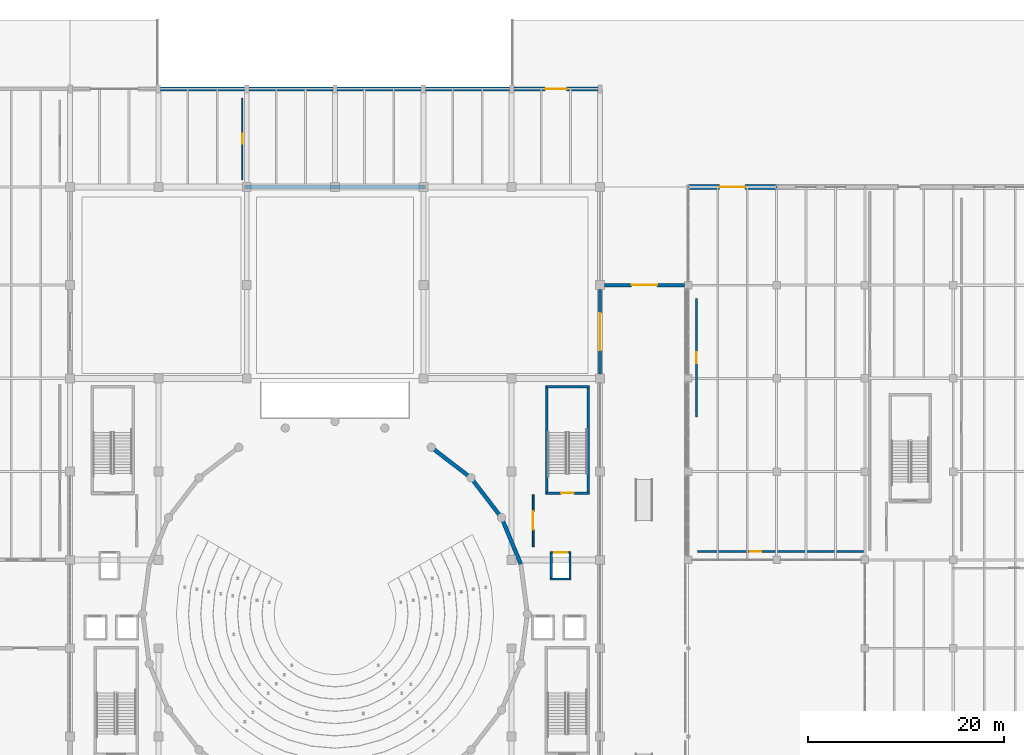
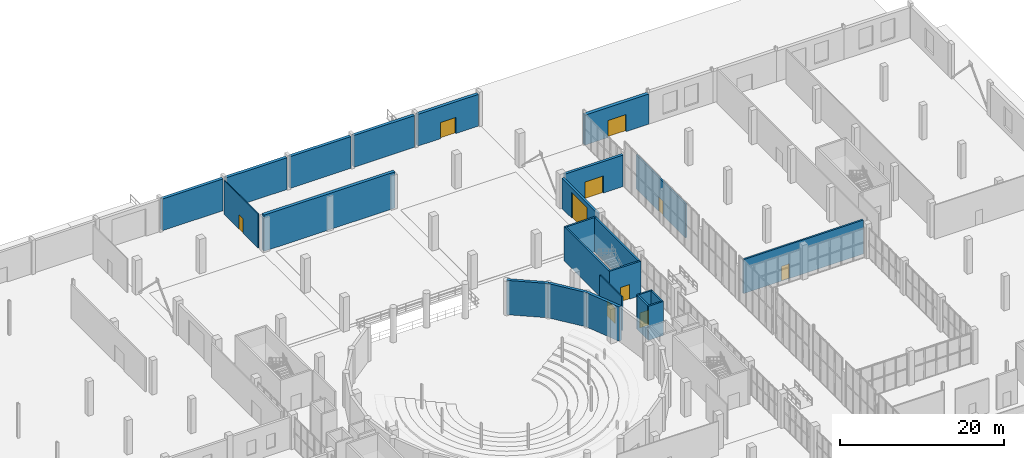
# One storey, part 87 of 103: 24 walls, 10 doors, 10 openings.
"""IFC4 building model written with IfcOpenShell, lengths in metres."""

from ifc_helpers import new_model, si_unit, direction, frame, frame_2d, origin, place, context, subcontext, project, spatial, rectangle, extrude, material, layer, layer_set, type_object, element, fill, save


model = new_model("IFC4")

# Units and contexts
model_context = context("Model", 3, precision=1e-05, world=origin(), true_north=direction((0.0, 1.0)))
body_context = subcontext(model_context, "Body", "Model", "MODEL_VIEW")
ifc_project = project(units=[si_unit("LENGTHUNIT", "METRE"), si_unit("AREAUNIT", "SQUARE_METRE"), si_unit("VOLUMEUNIT", "CUBIC_METRE"), si_unit("PLANEANGLEUNIT", "RADIAN"), si_unit("MASSUNIT", "GRAM", prefix="KILO")], contexts=[model_context])

# Site, building, storey
site_placement = place(None, origin())
site = spatial("IfcSite", under=ifc_project, at=site_placement, CompositionType="ELEMENT")
building_placement = place(site_placement, origin())
building = spatial("IfcBuilding", under=site, at=building_placement, Name="Marnock Terrace Opera House", CompositionType="ELEMENT")
storey_placement = place(building_placement, origin())
storey = spatial("IfcBuildingStorey", under=building, at=storey_placement, Name="L00", CompositionType="ELEMENT", Elevation=0.0)

# Wall, opening, door
ifc_material_1 = material(Name="Basket Range sandstone ashlar masonry", Category="masonry")
ifc_layer_1 = layer(ifc_material_1, 0.364990234375)
ifc_layer_set_1 = layer_set([ifc_layer_1], Name="Basket Range sandstone ashlar masonry")
wall_type_1 = type_object("IfcWallType", Name="EW-ASHLAR-365", PredefinedType="SOLIDWALL", material=ifc_layer_set_1)
wall_1_placement = place(storey_placement, frame((109.446044921875, 94.0, 0.0), z_axis=(0.0, 0.0, 1.0), x_axis=(1.0, 0.0, 0.0)))
wall_1 = element("IfcWall", 1, at=wall_1_placement, inside=storey, type_object=wall_type_1, Name="Stage and courtyard portal wall CG-03", PredefinedType="SOLIDWALL", context=body_context, shape_type="SweptSolid", body=[
    extrude(rectangle(XDim=8.182861328125, YDim=0.364990234375, at=frame_2d((4.09130859375, 0.0))), origin(), (0.0, 0.0, 1.0), 4.699951171875),
])
opening_1_placement = place(wall_1_placement, frame((2.79150390625, 0.0, 0.0)))
opening_1 = element("IfcOpeningElement", 2, at=opening_1_placement, cuts=wall_1, Name="Opening CG-03", PredefinedType="OPENING", context=body_context, shape_type="SweptSolid", body=[
    extrude(rectangle(XDim=2.60009765625, YDim=2.550048828125, at=frame_2d((1.300048828125, 1.27490234375))), frame((0.0, 0.1923828125, 0.0), z_axis=(0.0, -1.0, 0.0), x_axis=(1.0, 0.0, 0.0)), (0.0, 0.0, 1.0), 0.385009765625),
])
ifc_material_2 = material(Name="Architectural cast bronze")
door_type_1 = type_object("IfcDoorType", Name="DT-COURTGATE-2600", OperationType="NOTDEFINED", PredefinedType="GATE", material=ifc_material_2)
door_1_placement = place(opening_1_placement, origin())
door_1 = element("IfcDoor", 3, at=door_1_placement, inside=storey, type_object=door_type_1, Name="Exterior door CG-03", OperationType="DOUBLE_DOOR_SINGLE_SWING", OverallHeight=2.550048828125, OverallWidth=2.60009765625, PredefinedType="GATE", context=body_context, shape_type="SweptSolid", body=[
    extrude(rectangle(XDim=2.60009765625, YDim=2.550048828125, at=frame_2d((1.300048828125, 1.27490234375))), frame((0.0, 0.02490234375, 0.0), z_axis=(0.0, -1.0, 0.0), x_axis=(1.0, 0.0, 0.0)), (0.0, 0.0, 1.0), 0.050048828125),
])
fill(opening_1, door_1)

# Walls
ifc_layer_2 = layer(ifc_material_1, 0.429931640625)
ifc_layer_set_2 = layer_set([ifc_layer_2], Name="Basket Range sandstone ashlar masonry")
wall_type_2 = type_object("IfcWallType", Name="EW-ASHLAR-430", PredefinedType="SOLIDWALL", material=ifc_layer_set_2)
for number, where, z_axis, x_axis, name in (
    (4, (64.220947265625, 114.0, 0.0), (0.0, 0.0, 1.0), (1.0, 0.0, 0.0), "L00 Stage House north wall 2"),
    (5, (73.220947265625, 114.0, 0.0), (0.0, 0.0, 1.0), (1.0, 0.0, 0.0), "L00 Stage House north wall 3"),
    (6, (82.220947265625, 114.0, 0.0), (0.0, 0.0, 1.0), (1.0, 0.0, 0.0), "L00 Stage House north wall 4"),
    (7, (91.220947265625, 114.0, 0.0), (0.0, 0.0, 1.0), (1.0, 0.0, 0.0), "L00 Stage House north wall 5"),
):
    element("IfcWall", number, at=place(storey_placement, frame(where, z_axis=z_axis, x_axis=x_axis)), inside=storey, type_object=wall_type_2, Name=name, PredefinedType="SOLIDWALL", context=body_context, shape_type="SweptSolid", body=[
        extrude(rectangle(XDim=8.55810546875, YDim=0.429931640625, at=frame_2d((4.279052734375, 0.0))), origin(), (0.0, 0.0, 1.0), 4.7314453125),
    ])

# Wall, opening, door
wall_2_placement = place(storey_placement, frame((100.220947265625, 114.0, 0.0), z_axis=(0.0, 0.0, 1.0), x_axis=(1.0, 0.0, 0.0)))
wall_2 = element("IfcWall", 8, at=wall_2_placement, inside=storey, type_object=wall_type_2, Name="L00 Stage House north wall 6", PredefinedType="SOLIDWALL", context=body_context, shape_type="SweptSolid", body=[
    extrude(rectangle(XDim=8.55810546875, YDim=0.429931640625, at=frame_2d((4.279052734375, 0.0))), origin(), (0.0, 0.0, 1.0), 4.7314453125),
])
opening_2_placement = place(wall_2_placement, frame((3.178955078125, 0.0, 0.0)))
opening_2 = element("IfcOpeningElement", 9, at=opening_2_placement, cuts=wall_2, Name="Opening ED-12", PredefinedType="OPENING", context=body_context, shape_type="SweptSolid", body=[
    extrude(rectangle(XDim=2.199951171875, YDim=2.39990234375, at=frame_2d((1.10009765625, 1.199951171875))), frame((0.0, 0.224853515625, 0.0), z_axis=(0.0, -1.0, 0.0), x_axis=(1.0, 0.0, 0.0)), (0.0, 0.0, 1.0), 0.449951171875),
])
ifc_material_3 = material(Name="Anodised architectural bronze aluminium framing", Category="aluminium")
door_type_2 = type_object("IfcDoorType", Name="DT-EXIT-2200", OperationType="NOTDEFINED", PredefinedType="DOOR", material=ifc_material_3)
door_2_placement = place(opening_2_placement, origin())
door_2 = element("IfcDoor", 10, at=door_2_placement, inside=storey, type_object=door_type_2, Name="Exterior door ED-12", OperationType="DOUBLE_DOOR_SINGLE_SWING", OverallHeight=2.39990234375, OverallWidth=2.199951171875, PredefinedType="DOOR", context=body_context, shape_type="SweptSolid", body=[
    extrude(rectangle(XDim=2.199951171875, YDim=2.39990234375, at=frame_2d((1.10009765625, 1.199951171875))), frame((0.0, 0.02490234375, 0.0), z_axis=(0.0, -1.0, 0.0), x_axis=(1.0, 0.0, 0.0)), (0.0, 0.0, 1.0), 0.050048828125),
])
fill(opening_2, door_2)

ifc_material_4 = material(Name="Carey Gully rusticated stone masonry", Category="masonry")
ifc_layer_3 = layer(ifc_material_4, 0.47998046875)
ifc_layer_set_3 = layer_set([ifc_layer_3], Name="Carey Gully rusticated stone masonry")
wall_type_3 = type_object("IfcWallType", Name="EW-BASE-480", PredefinedType="SOLIDWALL", material=ifc_layer_set_3)
wall_3_placement = place(storey_placement, frame((118.0, 104.0, 0.0), z_axis=(0.0, 0.0, 1.0), x_axis=(1.0, 0.0, 0.0)))
wall_3 = element("IfcWall", 11, at=wall_3_placement, inside=storey, type_object=wall_type_3, Name="L00 Volume 5 north parklands facade 1", PredefinedType="SOLIDWALL", context=body_context, shape_type="SweptSolid", body=[
    extrude(rectangle(XDim=9.0, YDim=0.47998046875, at=frame_2d((4.5, 0.0))), origin(), (0.0, 0.0, 1.0), 4.478515625),
])
opening_3_placement = place(wall_3_placement, frame((3.199951171875, 0.0, 0.0)))
opening_3 = element("IfcOpeningElement", 12, at=opening_3_placement, cuts=wall_3, Name="Opening CG-01", PredefinedType="OPENING", context=body_context, shape_type="SweptSolid", body=[
    extrude(rectangle(XDim=2.60009765625, YDim=2.550048828125, at=frame_2d((1.300048828125, 1.27490234375))), frame((0.0, 0.25, 0.0), z_axis=(0.0, -1.0, 0.0), x_axis=(1.0, 0.0, 0.0)), (0.0, 0.0, 1.0), 0.5),
])
door_3_placement = place(opening_3_placement, origin())
door_3 = element("IfcDoor", 13, at=door_3_placement, inside=storey, type_object=door_type_1, Name="Exterior door CG-01", OperationType="DOUBLE_DOOR_SINGLE_SWING", OverallHeight=2.550048828125, OverallWidth=2.60009765625, PredefinedType="GATE", context=body_context, shape_type="SweptSolid", body=[
    extrude(rectangle(XDim=2.60009765625, YDim=2.550048828125, at=frame_2d((1.300048828125, 1.27490234375))), frame((0.0, 0.02490234375, 0.0), z_axis=(0.0, -1.0, 0.0), x_axis=(1.0, 0.0, 0.0)), (0.0, 0.0, 1.0), 0.050048828125),
])
fill(opening_3, door_3)

ifc_layer_4 = layer(ifc_material_4, 0.340087890625)
ifc_layer_set_4 = layer_set([ifc_layer_4], Name="Carey Gully rusticated stone masonry")
wall_type_4 = type_object("IfcWallType", Name="EW-WORK-340", PredefinedType="SOLIDWALL", material=ifc_layer_set_4)
wall_4_placement = place(storey_placement, frame((109.0, 84.946044921875, 0.0), z_axis=(0.0, 0.0, 1.0), x_axis=(0.0, 1.0, 0.0)))
wall_4 = element("IfcWall", 14, at=wall_4_placement, inside=storey, type_object=wall_type_4, Name="Stage and courtyard portal wall SG-04", PredefinedType="SOLIDWALL", context=body_context, shape_type="SweptSolid", body=[
    extrude(rectangle(XDim=8.60791015625, YDim=0.340087890625, at=frame_2d((4.303955078125, 0.0))), origin(), (0.0, 0.0, 1.0), 4.488037109375),
])
opening_4_placement = place(wall_4_placement, frame((2.404052734375, 0.0, 0.0)))
opening_4 = element("IfcOpeningElement", 15, at=opening_4_placement, cuts=wall_4, Name="Opening SG-04", PredefinedType="OPENING", context=body_context, shape_type="SweptSolid", body=[
    extrude(rectangle(XDim=3.800048828125, YDim=3.800048828125, at=frame_2d((1.89990234375, 1.89990234375))), frame((0.0, 0.179931640625, 0.0), z_axis=(0.0, -1.0, 0.0), x_axis=(1.0, 0.0, 0.0)), (0.0, 0.0, 1.0), 0.360107421875),
])
ifc_material_5 = material(Name="Galvanised architectural steel framing", Category="steel")
door_type_3 = type_object("IfcDoorType", Name="DT-SCENE-3800", OperationType="NOTDEFINED", PredefinedType="GATE", material=ifc_material_5)
door_4_placement = place(opening_4_placement, origin())
door_4 = element("IfcDoor", 16, at=door_4_placement, inside=storey, type_object=door_type_3, Name="Exterior door SG-04", OperationType="DOUBLE_DOOR_SINGLE_SWING", OverallHeight=3.800048828125, OverallWidth=3.800048828125, PredefinedType="GATE", context=body_context, shape_type="SweptSolid", body=[
    extrude(rectangle(XDim=3.800048828125, YDim=3.800048828125, at=frame_2d((1.89990234375, 1.89990234375))), frame((0.0, 0.02490234375, 0.0), z_axis=(0.0, -1.0, 0.0), x_axis=(1.0, 0.0, 0.0)), (0.0, 0.0, 1.0), 0.050048828125),
])
fill(opening_4, door_4)

ifc_material_6 = material(Name="Double-stud acoustic plasterboard with mineral-wool infill")
ifc_layer_5 = layer(ifc_material_6, 0.2099609375)
ifc_layer_set_5 = layer_set([ifc_layer_5], Name="Double-stud acoustic plasterboard with mineral-wool infill")
wall_type_5 = type_object("IfcWallType", Name="IW-ACOUSTIC-210", PredefinedType="PARTITIONING", material=ifc_layer_set_5)
wall_5_placement = place(storey_placement, frame((118.85009765625, 80.550048828125, 0.0), z_axis=(0.0, 0.0, 1.0), x_axis=(0.0, 1.0, 0.0)))
wall_5 = element("IfcWall", 17, at=wall_5_placement, inside=storey, type_object=wall_type_5, Name="L00 Principal Dressing Room 02 acoustic partition wall", PredefinedType="PARTITIONING", context=body_context, shape_type="SweptSolid", body=[
    extrude(rectangle(XDim=12.099853515625, YDim=0.2099609375, at=frame_2d((6.0498046875, 0.0))), origin(), (0.0, 0.0, 1.0), 5.070068359375),
])
opening_5_placement = place(wall_5_placement, frame((5.510009765625, 0.0, 0.0)))
opening_5 = element("IfcOpeningElement", 18, at=opening_5_placement, cuts=wall_5, Name="Opening D-L00-30", PredefinedType="OPENING", context=body_context, shape_type="SweptSolid", body=[
    extrude(rectangle(XDim=1.080078125, YDim=2.179931640625, at=frame_2d((0.5400390625, 1.08984375))), frame((0.0, 0.114990234375, 0.0), z_axis=(0.0, -1.0, 0.0), x_axis=(1.0, 0.0, 0.0)), (0.0, 0.0, 1.0), 0.22998046875),
])
ifc_material_7 = material(Name="Solid-core Tasmanian oak acoustic door leaf")
door_type_4 = type_object("IfcDoorType", Name="DT-DRESS-1080", OperationType="NOTDEFINED", PredefinedType="DOOR", material=ifc_material_7)
door_5_placement = place(opening_5_placement, origin())
door_5 = element("IfcDoor", 19, at=door_5_placement, inside=storey, type_object=door_type_4, Name="L00 Principal Dressing Room 02 entrance door", OperationType="SINGLE_SWING_RIGHT", OverallHeight=2.179931640625, OverallWidth=1.080078125, PredefinedType="DOOR", context=body_context, shape_type="SweptSolid", body=[
    extrude(rectangle(XDim=1.080078125, YDim=2.179931640625, at=frame_2d((0.5400390625, 1.08984375))), frame((0.0, 0.02490234375, 0.0), z_axis=(0.0, -1.0, 0.0), x_axis=(1.0, 0.0, 0.0)), (0.0, 0.0, 1.0), 0.050048828125),
])
fill(opening_5, door_5)

ifc_layer_6 = layer(ifc_material_6, 0.239990234375)
ifc_layer_set_6 = layer_set([ifc_layer_6], Name="Double-stud acoustic plasterboard with mineral-wool infill")
wall_type_6 = type_object("IfcWallType", Name="IW-ACOUSTIC-240", PredefinedType="PARTITIONING", material=ifc_layer_set_6)
wall_6_placement = place(storey_placement, frame((118.949951171875, 66.85009765625, 0.0), z_axis=(0.0, 0.0, 1.0), x_axis=(1.0, 0.0, 0.0)))
wall_6 = element("IfcWall", 20, at=wall_6_placement, inside=storey, type_object=wall_type_6, Name="L00 Principal Dressing Room 01 acoustic partition wall", PredefinedType="PARTITIONING", context=body_context, shape_type="SweptSolid", body=[
    extrude(rectangle(XDim=16.900146484375, YDim=0.239990234375, at=frame_2d((8.4501953125, 0.0))), origin(), (0.0, 0.0, 1.0), 5.070068359375),
])
opening_6_placement = place(wall_6_placement, frame((5.344970703125, 0.0, 0.0)))
opening_6 = element("IfcOpeningElement", 21, at=opening_6_placement, cuts=wall_6, Name="Opening D-L00-29", PredefinedType="OPENING", context=body_context, shape_type="SweptSolid", body=[
    extrude(rectangle(XDim=1.139892578125, YDim=2.199951171875, at=frame_2d((0.56982421875, 1.10009765625))), frame((0.0, 0.1298828125, 0.0), z_axis=(0.0, -1.0, 0.0), x_axis=(1.0, 0.0, 0.0)), (0.0, 0.0, 1.0), 0.260009765625),
])
door_type_5 = type_object("IfcDoorType", Name="DT-DRESS-1140", OperationType="NOTDEFINED", PredefinedType="DOOR", material=ifc_material_7)
door_6_placement = place(opening_6_placement, origin())
door_6 = element("IfcDoor", 22, at=door_6_placement, inside=storey, type_object=door_type_5, Name="L00 Principal Dressing Room 01 entrance door", OperationType="SINGLE_SWING_LEFT", OverallHeight=2.199951171875, OverallWidth=1.139892578125, PredefinedType="DOOR", context=body_context, shape_type="SweptSolid", body=[
    extrude(rectangle(XDim=1.139892578125, YDim=2.199951171875, at=frame_2d((0.56982421875, 1.10009765625))), frame((0.0, 0.02490234375, 0.0), z_axis=(0.0, -1.0, 0.0), x_axis=(1.0, 0.0, 0.0)), (0.0, 0.0, 1.0), 0.050048828125),
])
fill(opening_6, door_6)

ifc_material_8 = material(Name="Rendered acoustic concrete blockwork", Category="masonry")
ifc_layer_7 = layer(ifc_material_8, 0.195068359375)
ifc_layer_set_7 = layer_set([ifc_layer_7], Name="Rendered acoustic concrete blockwork")
wall_type_7 = type_object("IfcWallType", Name="IW-FIRE-195", PredefinedType="PARTITIONING", material=ifc_layer_set_7)
wall_7_placement = place(storey_placement, frame((102.199951171875, 67.35009765625, 0.0), z_axis=(0.0, 0.0, 1.0), x_axis=(0.0, 1.0, 0.0)))
wall_7 = element("IfcWall", 23, at=wall_7_placement, inside=storey, type_object=wall_type_7, Name="L00 C4 fire-rated lift and stair lobby wall", PredefinedType="PARTITIONING", context=body_context, shape_type="SweptSolid", body=[
    extrude(rectangle(XDim=5.2998046875, YDim=0.195068359375, at=frame_2d((2.64990234375, 0.0))), origin(), (0.0, 0.0, 1.0), 5.070068359375),
])
opening_7_placement = place(wall_7_placement, frame((1.699951171875, 0.0, 0.0)))
opening_7 = element("IfcOpeningElement", 24, at=opening_7_placement, cuts=wall_7, Name="Opening FD-C4-L00", PredefinedType="OPENING", context=body_context, shape_type="SweptSolid", body=[
    extrude(rectangle(XDim=1.89990234375, YDim=2.300048828125, at=frame_2d((0.949951171875, 1.14990234375))), frame((0.0, 0.107421875, 0.0), z_axis=(0.0, -1.0, 0.0), x_axis=(1.0, 0.0, 0.0)), (0.0, 0.0, 1.0), 0.215087890625),
])
ifc_material_9 = material(Name="Fire-rated acoustic timber-core door assembly", Category="wood")
door_type_6 = type_object("IfcDoorType", Name="DT-LOBBY-1900", OperationType="NOTDEFINED", PredefinedType="DOOR", material=ifc_material_9)
door_7_placement = place(opening_7_placement, origin())
door_7 = element("IfcDoor", 25, at=door_7_placement, inside=storey, type_object=door_type_6, Name="L00 C4 lobby self-closing smoke door", OperationType="SINGLE_SWING_RIGHT", OverallHeight=2.300048828125, OverallWidth=1.89990234375, PredefinedType="DOOR", context=body_context, shape_type="SweptSolid", body=[
    extrude(rectangle(XDim=1.89990234375, YDim=2.300048828125, at=frame_2d((0.949951171875, 1.14990234375))), frame((0.0, 0.02490234375, 0.0), z_axis=(0.0, -1.0, 0.0), x_axis=(1.0, 0.0, 0.0)), (0.0, 0.0, 1.0), 0.050048828125),
])
fill(opening_7, door_7)

ifc_layer_8 = layer(ifc_material_6, 0.137939453125)
ifc_layer_set_8 = layer_set([ifc_layer_8], Name="Double-stud acoustic plasterboard with mineral-wool infill")
wall_type_8 = type_object("IfcWallType", Name="IW-PART-138", PredefinedType="PARTITIONING", material=ifc_layer_set_8)
wall_8_placement = place(storey_placement, frame((72.550048828125, 104.75, 0.0), z_axis=(0.0, 0.0, 1.0), x_axis=(0.0, 1.0, 0.0)))
wall_8 = element("IfcWall", 26, at=wall_8_placement, inside=storey, type_object=wall_type_8, Name="L00 Quick-Change Booth and Stage Manager Suite acoustic partition wall", PredefinedType="PARTITIONING", context=body_context, shape_type="SweptSolid", body=[
    extrude(rectangle(XDim=8.300048828125, YDim=0.137939453125, at=frame_2d((4.14990234375, 0.0))), origin(), (0.0, 0.0, 1.0), 5.070068359375),
])
opening_8_placement = place(wall_8_placement, frame((3.639892578125, 0.0, 0.0)))
opening_8 = element("IfcOpeningElement", 27, at=opening_8_placement, cuts=wall_8, Name="Opening D-L00-12", PredefinedType="OPENING", context=body_context, shape_type="SweptSolid", body=[
    extrude(rectangle(XDim=1.02001953125, YDim=2.179931640625, at=frame_2d((0.510009765625, 1.08984375))), frame((0.0, 0.078857421875, 0.0), z_axis=(0.0, -1.0, 0.0), x_axis=(1.0, 0.0, 0.0)), (0.0, 0.0, 1.0), 0.157958984375),
])
door_type_7 = type_object("IfcDoorType", Name="DT-SUITE-1020", OperationType="NOTDEFINED", PredefinedType="DOOR", material=ifc_material_7)
door_8_placement = place(opening_8_placement, origin())
door_8 = element("IfcDoor", 28, at=door_8_placement, inside=storey, type_object=door_type_7, Name="L00 Quick-Change Booth and Stage Manager Suite entrance door", OperationType="SINGLE_SWING_LEFT", OverallHeight=2.179931640625, OverallWidth=1.02001953125, PredefinedType="DOOR", context=body_context, shape_type="SweptSolid", body=[
    extrude(rectangle(XDim=1.02001953125, YDim=2.179931640625, at=frame_2d((0.510009765625, 1.08984375))), frame((0.0, 0.02490234375, 0.0), z_axis=(0.0, -1.0, 0.0), x_axis=(1.0, 0.0, 0.0)), (0.0, 0.0, 1.0), 0.050048828125),
])
fill(opening_8, door_8)

ifc_layer_9 = layer(ifc_material_8, 0.22509765625)
ifc_layer_set_9 = layer_set([ifc_layer_9], Name="Rendered acoustic concrete blockwork")
wall_type_9 = type_object("IfcWallType", Name="IW-SHAFT-225", PredefinedType="SOLIDWALL", material=ifc_layer_set_9)
wall_9_placement = place(storey_placement, frame((103.927490234375, 66.760009765625, 0.0), z_axis=(0.0, 0.0, 1.0), x_axis=(1.0, 0.0, 0.0)))
wall_9 = element("IfcWall", 29, at=wall_9_placement, inside=storey, type_object=wall_type_9, Name="L00 Lift EL-02 front shaft wall", PredefinedType="SOLIDWALL", context=body_context, shape_type="SweptSolid", body=[
    extrude(rectangle(XDim=2.14501953125, YDim=0.22509765625, at=frame_2d((1.072509765625, 0.0))), origin(), (0.0, 0.0, 1.0), 5.070068359375),
])
opening_9_placement = place(wall_9_placement, frame((0.422607421875, 0.0, 0.0)))
opening_9 = element("IfcOpeningElement", 30, at=opening_9_placement, cuts=wall_9, Name="Opening LD-EL-02-L00", PredefinedType="OPENING", context=body_context, shape_type="SweptSolid", body=[
    extrude(rectangle(XDim=1.300048828125, YDim=2.25, at=frame_2d((0.64990234375, 1.125))), frame((0.0, 0.12255859375, 0.0), z_axis=(0.0, -1.0, 0.0), x_axis=(1.0, 0.0, 0.0)), (0.0, 0.0, 1.0), 0.2451171875),
])
ifc_material_10 = material(Name="Brushed stainless steel landing door assembly", Category="steel")
door_type_8 = type_object("IfcDoorType", Name="DT-LIFT-1300", OperationType="NOTDEFINED", PredefinedType="DOOR", material=ifc_material_10)
door_9_placement = place(opening_9_placement, origin())
door_9 = element("IfcDoor", 31, at=door_9_placement, inside=storey, type_object=door_type_8, Name="L00 Lift EL-02 sliding landing door", OperationType="DOUBLE_DOOR_SLIDING", OverallHeight=2.25, OverallWidth=1.300048828125, PredefinedType="DOOR", context=body_context, shape_type="SweptSolid", body=[
    extrude(rectangle(XDim=1.300048828125, YDim=2.25, at=frame_2d((0.64990234375, 1.125))), frame((0.0, 0.02490234375, 0.0), z_axis=(0.0, -1.0, 0.0), x_axis=(1.0, 0.0, 0.0)), (0.0, 0.0, 1.0), 0.050048828125),
])
fill(opening_9, door_9)

# Walls
wall_10_placement = place(storey_placement, frame((103.927490234375, 64.0400390625, 0.0), z_axis=(0.0, 0.0, 1.0), x_axis=(1.0, 0.0, 0.0)))
element("IfcWall", 32, at=wall_10_placement, inside=storey, type_object=wall_type_9, Name="L00 Lift EL-02 rear shaft wall", PredefinedType="SOLIDWALL", context=body_context, shape_type="SweptSolid", body=[
    extrude(rectangle(XDim=2.14501953125, YDim=0.22509765625, at=frame_2d((1.072509765625, 0.0))), origin(), (0.0, 0.0, 1.0), 5.070068359375),
])
for number, where, z_axis, x_axis, name in (
    (33, (104.0400390625, 64.0400390625, 0.0), (0.0, 0.0, 1.0), (0.0, 1.0, 0.0), "L00 Lift EL-02 west shaft wall"),
    (34, (105.9599609375, 64.0400390625, 0.0), (0.0, 0.0, 1.0), (0.0, 1.0, 0.0), "L00 Lift EL-02 east shaft wall"),
):
    element("IfcWall", number, at=place(storey_placement, frame(where, z_axis=z_axis, x_axis=x_axis)), inside=storey, type_object=wall_type_9, Name=name, PredefinedType="SOLIDWALL", context=body_context, shape_type="SweptSolid", body=[
        extrude(rectangle(XDim=2.719970703125, YDim=0.22509765625, at=frame_2d((1.35986328125, 0.0))), origin(), (0.0, 0.0, 1.0), 5.070068359375),
    ])

# Wall, opening, door
ifc_material_11 = material(Name="Concrete N40 (f'c = 40 MPa)", Category="concrete")
ifc_layer_10 = layer(ifc_material_11, 0.25)
ifc_layer_set_10 = layer_set([ifc_layer_10], Name="Concrete N40 (f'c = 40 MPa)")
wall_type_10 = type_object("IfcWallType", Name="SW-CORE-250", PredefinedType="SHEAR", material=ifc_layer_set_10)
wall_11_placement = place(storey_placement, frame((103.47509765625, 72.800048828125, 0.0), z_axis=(0.0, 0.0, 1.0), x_axis=(1.0, 0.0, 0.0)))
wall_11 = element("IfcWall", 35, at=wall_11_placement, inside=storey, type_object=wall_type_10, Name="L00 Core C4 FRL 120/120/120 shear wall S", PredefinedType="SHEAR", context=body_context, shape_type="SweptSolid", body=[
    extrude(rectangle(XDim=4.449951171875, YDim=0.25, at=frame_2d((2.22509765625, 0.0))), origin(), (0.0, 0.0, 1.0), 5.1201171875),
])
opening_10_placement = place(wall_11_placement, frame((1.574951171875, 0.0, 0.0)))
opening_10 = element("IfcOpeningElement", 36, at=opening_10_placement, cuts=wall_11, Name="Opening SD-C4-L00", PredefinedType="OPENING", context=body_context, shape_type="SweptSolid", body=[
    extrude(rectangle(XDim=1.300048828125, YDim=2.179931640625, at=frame_2d((0.64990234375, 1.08984375))), frame((0.0, 0.135009765625, 0.0), z_axis=(0.0, -1.0, 0.0), x_axis=(1.0, 0.0, 0.0)), (0.0, 0.0, 1.0), 0.27001953125),
])
door_type_9 = type_object("IfcDoorType", Name="DT-STAIR-1300", OperationType="NOTDEFINED", PredefinedType="DOOR", material=ifc_material_9)
door_10_placement = place(opening_10_placement, origin())
door_10 = element("IfcDoor", 37, at=door_10_placement, inside=storey, type_object=door_type_9, Name="L00 Stair ST-04 fire-isolated exit door", OperationType="SINGLE_SWING_LEFT", OverallHeight=2.179931640625, OverallWidth=1.300048828125, PredefinedType="DOOR", context=body_context, shape_type="SweptSolid", body=[
    extrude(rectangle(XDim=1.300048828125, YDim=2.179931640625, at=frame_2d((0.64990234375, 1.08984375))), frame((0.0, 0.02490234375, 0.0), z_axis=(0.0, -1.0, 0.0), x_axis=(1.0, 0.0, 0.0)), (0.0, 0.0, 1.0), 0.050048828125),
])
fill(opening_10, door_10)

# Walls
wall_12_placement = place(storey_placement, frame((103.47509765625, 83.639892578125, 0.0), z_axis=(0.0, 0.0, 1.0), x_axis=(1.0, 0.0, 0.0)))
element("IfcWall", 38, at=wall_12_placement, inside=storey, type_object=wall_type_10, Name="L00 Core C4 FRL 120/120/120 shear wall N", PredefinedType="SHEAR", context=body_context, shape_type="SweptSolid", body=[
    extrude(rectangle(XDim=4.449951171875, YDim=0.25, at=frame_2d((2.22509765625, 0.0))), origin(), (0.0, 0.0, 1.0), 5.1201171875),
])
for number, where, z_axis, x_axis, name in (
    (39, (103.60009765625, 72.675048828125, 0.0), (0.0, 0.0, 1.0), (0.0, 1.0, 0.0), "L00 Core C4 FRL 120/120/120 shear wall W"),
    (40, (107.800048828125, 72.675048828125, 0.0), (0.0, 0.0, 1.0), (0.0, 1.0, 0.0), "L00 Core C4 FRL 120/120/120 shear wall E"),
):
    element("IfcWall", number, at=place(storey_placement, frame(where, z_axis=z_axis, x_axis=x_axis)), inside=storey, type_object=wall_type_10, Name=name, PredefinedType="SHEAR", context=body_context, shape_type="SweptSolid", body=[
        extrude(rectangle(XDim=11.08984375, YDim=0.25, at=frame_2d((5.544921875, 0.0))), origin(), (0.0, 0.0, 1.0), 5.1201171875),
    ])
ifc_material_12 = material(Name="Concrete N50 (f'c = 50 MPa)", Category="concrete")
ifc_layer_11 = layer(ifc_material_12, 0.39990234375)
ifc_layer_set_11 = layer_set([ifc_layer_11], Name="Concrete N50 (f'c = 50 MPa)")
wall_type_11 = type_object("IfcWallType", Name="SW-DRUM-400", PredefinedType="SHEAR", material=ifc_layer_set_11)
for number, where, z_axis, x_axis, name in (
    (41, (100.931884765625, 65.572998046875, 0.0), (0.0, 0.0, 1.0), (-0.382642581018, 0.923896452635, 0.0), "L00 cylindrical auditorium drum shear wall 2"),
    (42, (98.97412109375, 70.300048828125, 0.0), (0.0, 0.0, 1.0), (-0.608857194409, 0.793279847731, 0.0), "L00 cylindrical auditorium drum shear wall 3"),
    (43, (95.85888671875, 74.35888671875, 0.0), (0.0, 0.0, 1.0), (-0.793279847731, 0.608857194409, 0.0), "L00 cylindrical auditorium drum shear wall 4"),
):
    element("IfcWall", number, at=place(storey_placement, frame(where, z_axis=z_axis, x_axis=x_axis)), inside=storey, type_object=wall_type_11, Name=name, PredefinedType="SHEAR", context=body_context, shape_type="SweptSolid", body=[
        extrude(rectangle(XDim=5.116455078125, YDim=0.39990234375, at=frame_2d((2.55810546875, 0.0))), origin(), (0.0, 0.0, 1.0), 5.1201171875),
    ])
ifc_layer_12 = layer(ifc_material_12, 0.449951171875)
ifc_layer_set_12 = layer_set([ifc_layer_12], Name="Concrete N50 (f'c = 50 MPa)")
wall_type_12 = type_object("IfcWallType", Name="SW-FLY-450", PredefinedType="SHEAR", material=ifc_layer_set_12)
wall_13_placement = place(storey_placement, frame((72.77490234375, 104.0, 0.0), z_axis=(0.0, 0.0, 1.0), x_axis=(1.0, 0.0, 0.0)))
element("IfcWall", 44, at=wall_13_placement, inside=storey, type_object=wall_type_12, Name="L00 Fly Tower north shear wall", PredefinedType="SHEAR", context=body_context, shape_type="SweptSolid", body=[
    extrude(rectangle(XDim=18.4501953125, YDim=0.449951171875, at=frame_2d((9.22509765625, 0.0))), origin(), (0.0, 0.0, 1.0), 5.39990234375),
])

save(model, "model.ifc")
